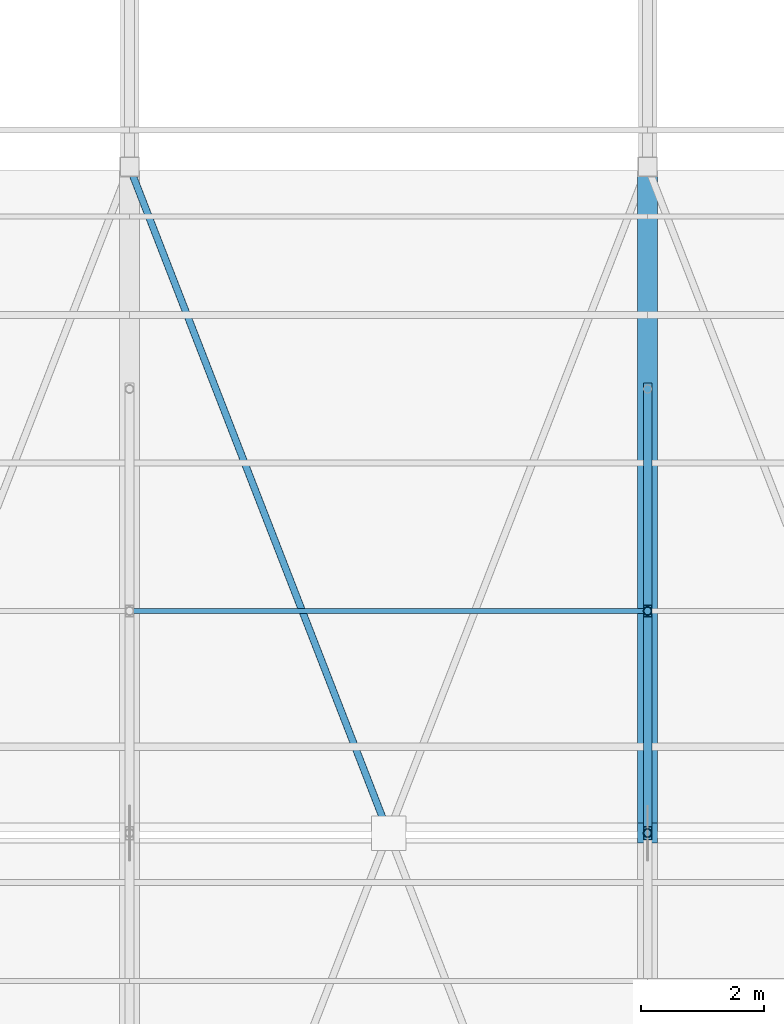
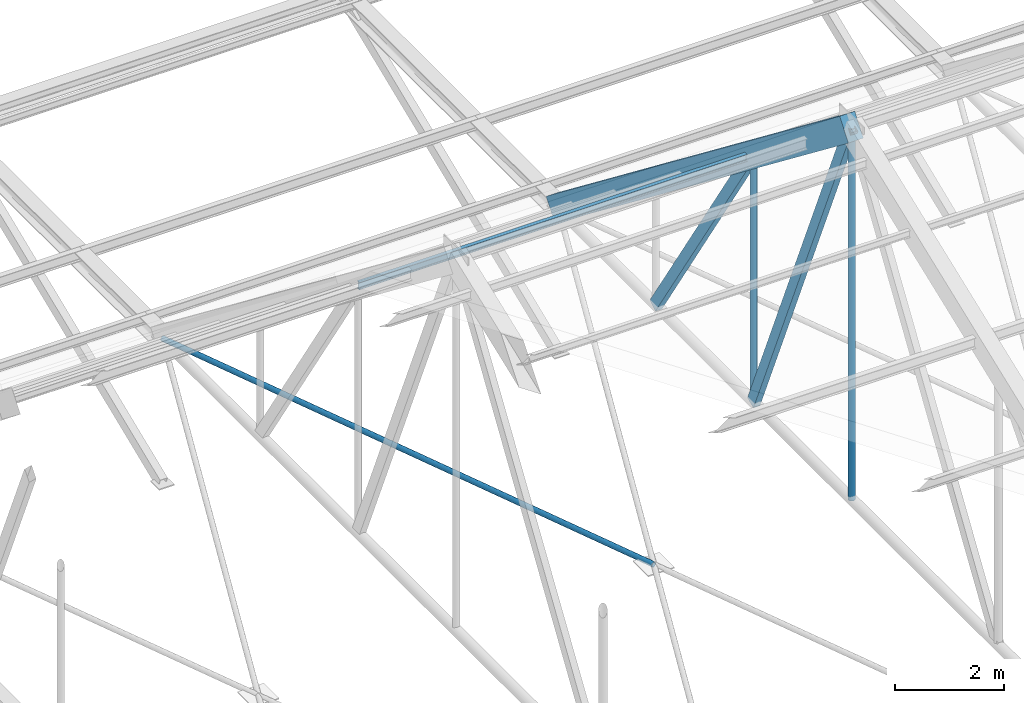
# One storey, part 115 of 217: 7 members.
"""IFC4 building model written with IfcOpenShell, lengths in metres."""

from ifc_helpers import new_model, si_unit, direction, frame, origin, origin_2d, place, context, subcontext, project, spatial, rectangle, hollow_rectangle, hollow_circle, i_section, extrude, material, material_profile, profile_set, type_object, element, save


model = new_model("IFC4")

# Units and contexts
model_context = context("Model", 3, precision=1e-05, world=origin(), true_north=direction((0.0, 1.0)))
body_context = subcontext(model_context, "Body", "Model", "MODEL_VIEW")
ifc_project = project(units=[si_unit("LENGTHUNIT", "METRE"), si_unit("AREAUNIT", "SQUARE_METRE"), si_unit("VOLUMEUNIT", "CUBIC_METRE"), si_unit("PLANEANGLEUNIT", "RADIAN"), si_unit("MASSUNIT", "GRAM", prefix="KILO")], contexts=[model_context])

# Site, building, storey
site_placement = place(None, origin())
site = spatial("IfcSite", under=ifc_project, at=site_placement, CompositionType="ELEMENT")
building_placement = place(site_placement, origin())
building = spatial("IfcBuilding", under=site, at=building_placement, Name="Mazaris Harbour Polytechnic", CompositionType="ELEMENT")
storey_placement = place(building_placement, frame((0.0, 0.0, 9.60009765625)))
storey = spatial("IfcBuildingStorey", under=building, at=storey_placement, Name="L02", CompositionType="ELEMENT", Elevation=9.60009765625)

# Members
ifc_material_1 = material(Name="Glulam GL32h", Category="wood")
ifc_material_profile_1 = material_profile(ifc_material_1, rectangle(XDim=0.320068359375, YDim=0.52001953125, at=origin_2d()), Name="RECT320x520")
ifc_profile_set_1 = profile_set([ifc_material_profile_1], Name="Glulam GL32h")
member_type_1 = type_object("IfcMemberType", Name="Glulam Top Chord 320x520", PredefinedType="CHORD", material=ifc_profile_set_1)
member_1_placement = place(storey_placement, frame((70.800048828125, 97.199951171875, 12.099853515625), z_axis=(0.0, 0.791130406401, -0.611647512926), x_axis=(-1.0, 0.0, 0.0)))
element("IfcMember", 1, at=member_1_placement, inside=storey, type_object=member_type_1, Name="Truss 3 North Glulam Top Chord", PredefinedType="CHORD", context=body_context, shape_type="SweptSolid", body=[
    extrude(rectangle(XDim=0.320068359375, YDim=0.52001953125, at=origin_2d()), origin(), (0.0, 0.0, 1.0), 13.6513671875),
])
ifc_material_2 = material(Name="Steel S355", Category="steel")
ifc_material_profile_2 = material_profile(ifc_material_2, i_section(OverallWidth=0.08203125, OverallDepth=0.159912109375, WebThickness=0.0048828125, FlangeThickness=0.00732421875, FilletRadius=0.009033203125, at=origin_2d()), Name="IPE 160")
ifc_profile_set_2 = profile_set([ifc_material_profile_2], Name="Steel S355")
member_type_2 = type_object("IfcMemberType", Name="Steel Purlin IPE160", PredefinedType="PURLIN", material=ifc_profile_set_2)
member_2_placement = place(storey_placement, frame((62.39990234375, 100.800048828125, 9.308837890625), z_axis=(1.0, 0.0, 0.0), x_axis=(0.0, 1.0, 0.0)))
element("IfcMember", 2, at=member_2_placement, inside=storey, type_object=member_type_2, Name="V1 Roof Purlin N-36", PredefinedType="PURLIN", context=body_context, shape_type="SweptSolid", body=[
    extrude(i_section(OverallWidth=0.08203125, OverallDepth=0.159912109375, WebThickness=0.0048828125, FlangeThickness=0.00732421875, FilletRadius=0.009033203125, at=origin_2d()), origin(), (0.0, 0.0, 1.0), 8.400146484375),
])
ifc_material_3 = material(Name="Steel S355", Category="steel")
ifc_material_profile_3 = material_profile(ifc_material_3, hollow_rectangle(XDim=0.139892578125, YDim=0.239990234375, WallThickness=0.010009765625, at=origin_2d()), Name="RHS 140x240x10.0")
ifc_profile_set_3 = profile_set([ifc_material_profile_3], Name="Steel S355")
member_type_3 = type_object("IfcMemberType", Name="Steel Truss Diagonal RHS140x240", PredefinedType="BRACE", material=ifc_profile_set_3)
member_3_placement = place(storey_placement, frame((70.800048828125, 100.800048828125, 3.75), z_axis=(0.0, -0.395924210908, 0.918283191187), x_axis=(1.0, 0.0, 0.0)))
element("IfcMember", 3, at=member_3_placement, inside=storey, type_object=member_type_3, Name="Truss 3 Web Diagonal N1", PredefinedType="BRACE", context=body_context, shape_type="SweptSolid", body=[
    extrude(hollow_rectangle(XDim=0.139892578125, YDim=0.239990234375, WallThickness=0.010009765625, at=origin_2d()), origin(), (0.0, 0.0, 1.0), 9.093017578125),
])
member_4_placement = place(storey_placement, frame((70.800048828125, 104.39990234375, 3.75), z_axis=(0.0, -0.543028315091, 0.839714385377), x_axis=(1.0, 0.0, 0.0)))
element("IfcMember", 4, at=member_4_placement, inside=storey, type_object=member_type_3, Name="Truss 3 Web Diagonal N2", PredefinedType="BRACE", context=body_context, shape_type="SweptSolid", body=[
    extrude(hollow_rectangle(XDim=0.139892578125, YDim=0.239990234375, WallThickness=0.010009765625, at=origin_2d()), origin(), (0.0, 0.0, 1.0), 6.629150390625),
])
ifc_material_4 = material(Name="Steel S355", Category="steel")
ifc_material_profile_4 = material_profile(ifc_material_4, hollow_circle(Radius=0.06982421875, WallThickness=0.008056640625, at=origin_2d()), Name="CHS 139.7x8.0")
ifc_profile_set_4 = profile_set([ifc_material_profile_4], Name="Steel S355")
member_type_4 = type_object("IfcMemberType", Name="Steel Truss Strut CHS139", PredefinedType="STRUT", material=ifc_profile_set_4)
member_5_placement = place(storey_placement, frame((70.800048828125, 97.199951171875, 3.75), z_axis=(0.0, 0.0, 1.0), x_axis=(1.0, 0.0, 0.0)))
element("IfcMember", 5, at=member_5_placement, inside=storey, type_object=member_type_4, Name="Truss 3 Web Post S4", PredefinedType="STRUT", context=body_context, shape_type="SweptSolid", body=[
    extrude(hollow_circle(Radius=0.06982421875, WallThickness=0.008056640625, at=origin_2d()), origin(), (0.0, 0.0, 1.0), 8.349853515625),
])
member_6_placement = place(storey_placement, frame((70.800048828125, 100.800048828125, 3.75), z_axis=(0.0, 0.0, 1.0), x_axis=(1.0, 0.0, 0.0)))
element("IfcMember", 6, at=member_6_placement, inside=storey, type_object=member_type_4, Name="Truss 3 Web Post N1", PredefinedType="STRUT", context=body_context, shape_type="SweptSolid", body=[
    extrude(hollow_circle(Radius=0.06982421875, WallThickness=0.008056640625, at=origin_2d()), origin(), (0.0, 0.0, 1.0), 5.566650390625),
])
ifc_material_5 = material(Name="Steel S355", Category="steel")
ifc_material_profile_5 = material_profile(ifc_material_5, hollow_circle(Radius=0.05712890625, WallThickness=0.00634765625, at=origin_2d()), Name="CHS 114.3x6.3")
ifc_profile_set_5 = profile_set([ifc_material_profile_5], Name="Steel S355")
member_type_5 = type_object("IfcMemberType", Name="Steel Wind Brace CHS114", PredefinedType="BRACE", material=ifc_profile_set_5)
member_7_placement = place(storey_placement, frame((62.39990234375, 108.0, 3.75), z_axis=(0.362459478245, -0.931999531454, 0.0), x_axis=(0.931999531454, 0.362459478245, 0.0)))
element("IfcMember", 7, at=member_7_placement, inside=storey, type_object=member_type_5, Name="V1 Split Roof Wind Brace 2B1", PredefinedType="BRACE", context=body_context, shape_type="SweptSolid", body=[
    extrude(hollow_circle(Radius=0.05712890625, WallThickness=0.00634765625, at=origin_2d()), origin(), (0.0, 0.0, 1.0), 11.588134765625),
])

save(model, "model.ifc")
